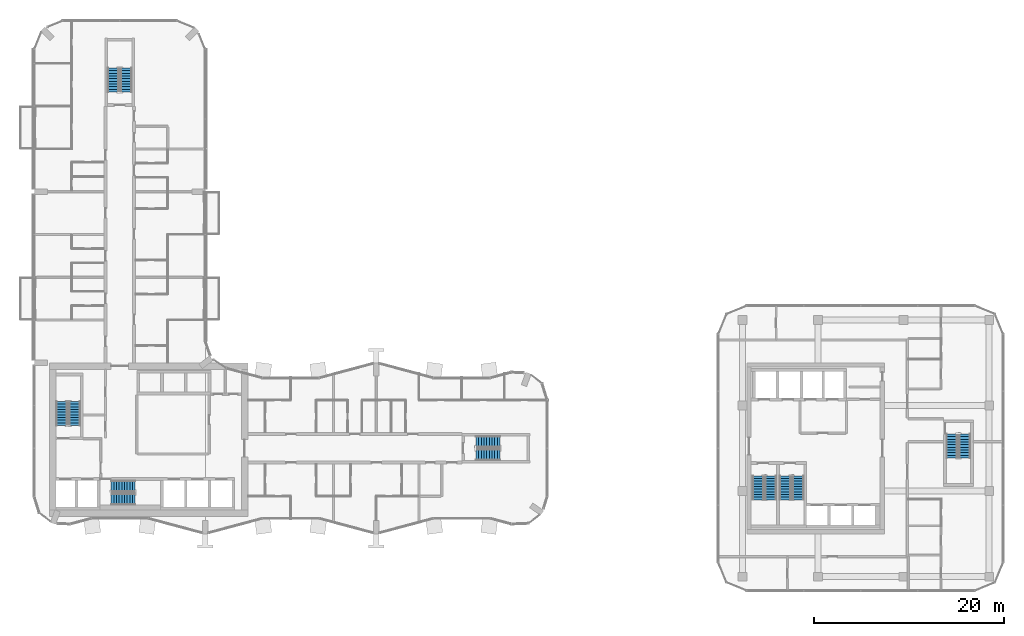
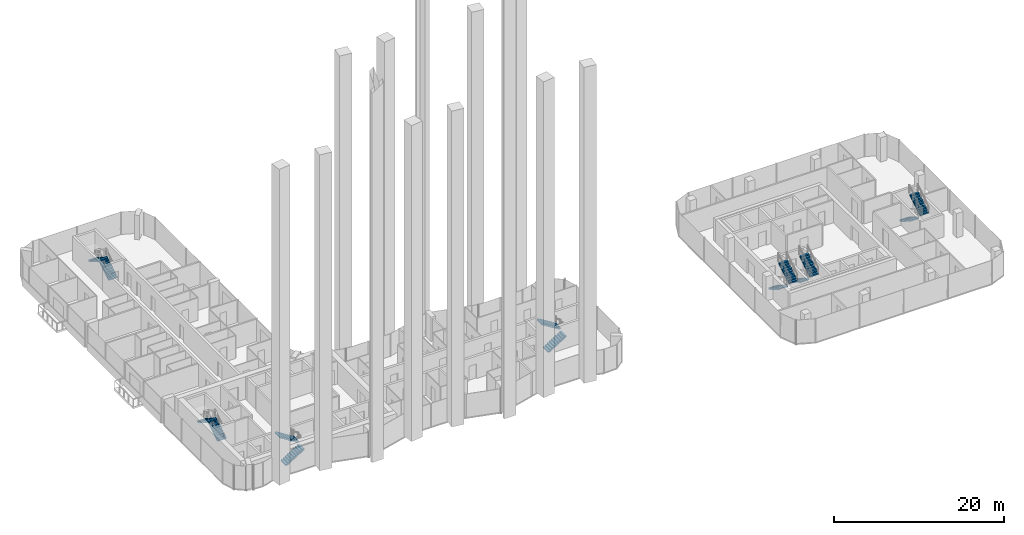
# One storey, part 20 of 27: 14 stair flights, 7 elements without a shape of their own.
"""IFC4 building model written with IfcOpenShell, lengths in metres."""

from ifc_helpers import new_model, si_unit, direction, frame, origin, place, context, subcontext, project, spatial, polyline, outline, extrude, material, type_object, element, aggregate, save


model = new_model("IFC4")

# Units and contexts
model_context = context("Model", 3, precision=1e-05, world=origin(), true_north=direction((0.0, 1.0)))
body_context = subcontext(model_context, "Body", "Model", "MODEL_VIEW")
ifc_project = project(units=[si_unit("LENGTHUNIT", "METRE"), si_unit("AREAUNIT", "SQUARE_METRE"), si_unit("VOLUMEUNIT", "CUBIC_METRE"), si_unit("PLANEANGLEUNIT", "RADIAN"), si_unit("MASSUNIT", "GRAM", prefix="KILO")], contexts=[model_context])

# Site, building, storey
site_placement = place(None, origin())
site = spatial("IfcSite", under=ifc_project, at=site_placement, CompositionType="ELEMENT")
building_placement = place(site_placement, origin())
building = spatial("IfcBuilding", under=site, at=building_placement, Name="Plateau Cross Towers", CompositionType="ELEMENT")
storey_placement = place(building_placement, frame((0.0, 0.0, 78.300048828125)))
storey = spatial("IfcBuildingStorey", under=building, at=storey_placement, Name="L19", CompositionType="ELEMENT", Elevation=78.300048828125)

# Stair, stair flights
ifc_material = material(Name="Concrete C40/50", Category="concrete")
stair_type = type_object("IfcStairType", Name="ST-TWR", PredefinedType="HALF_TURN_STAIR", material=ifc_material)
stair_1_placement = place(storey_placement, origin())
stair_1 = element("IfcStair", 1, at=stair_1_placement, inside=storey, type_object=stair_type, Name="L19 Protected Exit Stair ST-1", PredefinedType="HALF_TURN_STAIR")
stair_flight_type = type_object("IfcStairFlightType", Name="SFL-RC", PredefinedType="STRAIGHT", material=ifc_material)
stair_flight_1_placement = place(storey_placement, frame((4.25, 11.39990234375, 0.0), z_axis=(0.0, 0.0, 1.0), x_axis=(0.0, 1.0, 0.0)))
stair_flight_1 = element("IfcStairFlight", 2, at=stair_flight_1_placement, type_object=stair_flight_type, Name="ST-1 flight 1", NumberOfRisers=10, NumberOfTreads=9, PredefinedType="STRAIGHT", RiserHeight=0.175, TreadLength=0.28, context=body_context, shape_type="SweptSolid", body=[
    extrude(outline(polyline([(-0.0048828125, -0.010009765625), (-0.0048828125, 0.0), (0.0, 0.0), (0.0, 0.175048828125), (0.280029296875, 0.175048828125), (0.280029296875, 0.35009765625), (0.56005859375, 0.35009765625), (0.56005859375, 0.52490234375), (0.840087890625, 0.52490234375), (0.840087890625, 0.699951171875), (1.1201171875, 0.699951171875), (1.1201171875, 0.875), (1.39990234375, 0.875), (1.39990234375, 1.050048828125), (1.679931640625, 1.050048828125), (1.679931640625, 1.22509765625), (1.9599609375, 1.22509765625), (1.9599609375, 1.39990234375), (2.239990234375, 1.39990234375), (2.239990234375, 1.574951171875), (2.52001953125, 1.574951171875), (2.52490234375, 1.56494140625), (2.52490234375, 1.398193359375), (2.52001953125, 1.398193359375), (0.28271484375, 0.0), (0.02001953125, 0.0), (0.02001953125, -0.010009765625), (-0.0048828125, -0.010009765625)])), frame((0.0, 0.60009765625, 0.0), z_axis=(0.0, -1.0, 0.0), x_axis=(1.0, 0.0, 0.0)), (0.0, 0.0, 1.0), 1.199951171875),
])
stair_flight_2_placement = place(storey_placement, frame((2.89990234375, 13.919921875, 1.75), z_axis=(0.0, 0.0, 1.0), x_axis=(0.0, -1.0, 0.0)))
stair_flight_2 = element("IfcStairFlight", 3, at=stair_flight_2_placement, type_object=stair_flight_type, Name="ST-1 flight 2", NumberOfRisers=10, NumberOfTreads=9, PredefinedType="STRAIGHT", RiserHeight=0.175, TreadLength=0.28, context=body_context, shape_type="SweptSolid", body=[
    extrude(outline(polyline([(-0.0048828125, -0.010009765625), (-0.0048828125, 0.0), (0.0, 0.0), (0.0, 0.175048828125), (0.280029296875, 0.175048828125), (0.280029296875, 0.35009765625), (0.56005859375, 0.35009765625), (0.56005859375, 0.52490234375), (0.840087890625, 0.52490234375), (0.840087890625, 0.699951171875), (1.1201171875, 0.699951171875), (1.1201171875, 0.875), (1.39990234375, 0.875), (1.39990234375, 1.050048828125), (1.679931640625, 1.050048828125), (1.679931640625, 1.22509765625), (1.9599609375, 1.22509765625), (1.9599609375, 1.39990234375), (2.239990234375, 1.39990234375), (2.239990234375, 1.574951171875), (2.52001953125, 1.574951171875), (2.52490234375, 1.56494140625), (2.52490234375, 1.398193359375), (2.52001953125, 1.398193359375), (0.28271484375, 0.0), (0.02001953125, 0.0), (0.02001953125, -0.010009765625), (-0.0048828125, -0.010009765625)])), frame((0.0, 0.60009765625, 0.0), z_axis=(0.0, -1.0, 0.0), x_axis=(1.0, 0.0, 0.0)), (0.0, 0.0, 1.0), 1.199951171875),
])
aggregate(stair_1, [stair_flight_1, stair_flight_2])

stair_2_placement = place(storey_placement, origin())
stair_2 = element("IfcStair", 4, at=stair_2_placement, inside=storey, type_object=stair_type, Name="L19 Protected Exit Stair ST-2", PredefinedType="HALF_TURN_STAIR")
stair_flight_3_placement = place(storey_placement, frame((8.10009765625, 3.64990234375, 0.0), z_axis=(0.0, 0.0, 1.0), x_axis=(1.0, 0.0, 0.0)))
stair_flight_3 = element("IfcStairFlight", 5, at=stair_flight_3_placement, type_object=stair_flight_type, Name="ST-2 flight 1", NumberOfRisers=10, NumberOfTreads=9, PredefinedType="STRAIGHT", RiserHeight=0.175, TreadLength=0.28, context=body_context, shape_type="SweptSolid", body=[
    extrude(outline(polyline([(-0.0048828125, -0.010009765625), (-0.0048828125, 0.0), (0.0, 0.0), (0.0, 0.175048828125), (0.280029296875, 0.175048828125), (0.280029296875, 0.35009765625), (0.56005859375, 0.35009765625), (0.56005859375, 0.52490234375), (0.840087890625, 0.52490234375), (0.840087890625, 0.699951171875), (1.1201171875, 0.699951171875), (1.1201171875, 0.875), (1.39990234375, 0.875), (1.39990234375, 1.050048828125), (1.679931640625, 1.050048828125), (1.679931640625, 1.22509765625), (1.9599609375, 1.22509765625), (1.9599609375, 1.39990234375), (2.239990234375, 1.39990234375), (2.239990234375, 1.574951171875), (2.52001953125, 1.574951171875), (2.52490234375, 1.56494140625), (2.52490234375, 1.398193359375), (2.52001953125, 1.398193359375), (0.28271484375, 0.0), (0.02001953125, 0.0), (0.02001953125, -0.010009765625), (-0.0048828125, -0.010009765625)])), frame((0.0, 0.60009765625, 0.0), z_axis=(0.0, -1.0, 0.0), x_axis=(1.0, 0.0, 0.0)), (0.0, 0.0, 1.0), 1.199951171875),
])
stair_flight_4_placement = place(storey_placement, frame((10.6201171875, 5.0, 1.75), z_axis=(0.0, 0.0, 1.0), x_axis=(-1.0, 0.0, 0.0)))
stair_flight_4 = element("IfcStairFlight", 6, at=stair_flight_4_placement, type_object=stair_flight_type, Name="ST-2 flight 2", NumberOfRisers=10, NumberOfTreads=9, PredefinedType="STRAIGHT", RiserHeight=0.175, TreadLength=0.28, context=body_context, shape_type="SweptSolid", body=[
    extrude(outline(polyline([(-0.0048828125, -0.010009765625), (-0.0048828125, 0.0), (0.0, 0.0), (0.0, 0.175048828125), (0.280029296875, 0.175048828125), (0.280029296875, 0.35009765625), (0.56005859375, 0.35009765625), (0.56005859375, 0.52490234375), (0.840087890625, 0.52490234375), (0.840087890625, 0.699951171875), (1.1201171875, 0.699951171875), (1.1201171875, 0.875), (1.39990234375, 0.875), (1.39990234375, 1.050048828125), (1.679931640625, 1.050048828125), (1.679931640625, 1.22509765625), (1.9599609375, 1.22509765625), (1.9599609375, 1.39990234375), (2.239990234375, 1.39990234375), (2.239990234375, 1.574951171875), (2.52001953125, 1.574951171875), (2.52490234375, 1.56494140625), (2.52490234375, 1.398193359375), (2.52001953125, 1.398193359375), (0.28271484375, 0.0), (0.02001953125, 0.0), (0.02001953125, -0.010009765625), (-0.0048828125, -0.010009765625)])), frame((0.0, 0.60009765625, 0.0), z_axis=(0.0, -1.0, 0.0), x_axis=(1.0, 0.0, 0.0)), (0.0, 0.0, 1.0), 1.199951171875),
])
aggregate(stair_2, [stair_flight_3, stair_flight_4])

stair_3_placement = place(storey_placement, origin())
stair_3 = element("IfcStair", 7, at=stair_3_placement, inside=storey, type_object=stair_type, Name="L19 Protected Exit Stair SB-1", PredefinedType="HALF_TURN_STAIR")
stair_flight_5_placement = place(storey_placement, frame((76.199951171875, 6.10009765625, 0.0), z_axis=(0.0, 0.0, 1.0), x_axis=(0.0, -1.0, 0.0)))
stair_flight_5 = element("IfcStairFlight", 8, at=stair_flight_5_placement, type_object=stair_flight_type, Name="SB-1 flight 1", NumberOfRisers=10, NumberOfTreads=9, PredefinedType="STRAIGHT", RiserHeight=0.175, TreadLength=0.28, context=body_context, shape_type="SweptSolid", body=[
    extrude(outline(polyline([(-0.0048828125, -0.010009765625), (-0.0048828125, 0.0), (0.0, 0.0), (0.0, 0.175048828125), (0.280029296875, 0.175048828125), (0.280029296875, 0.35009765625), (0.56005859375, 0.35009765625), (0.56005859375, 0.52490234375), (0.840087890625, 0.52490234375), (0.840087890625, 0.699951171875), (1.1201171875, 0.699951171875), (1.1201171875, 0.875), (1.39990234375, 0.875), (1.39990234375, 1.050048828125), (1.679931640625, 1.050048828125), (1.679931640625, 1.22509765625), (1.9599609375, 1.22509765625), (1.9599609375, 1.39990234375), (2.239990234375, 1.39990234375), (2.239990234375, 1.574951171875), (2.52001953125, 1.574951171875), (2.52490234375, 1.56494140625), (2.52490234375, 1.398193359375), (2.52001953125, 1.398193359375), (0.28271484375, 0.0), (0.02001953125, 0.0), (0.02001953125, -0.010009765625), (-0.0048828125, -0.010009765625)])), frame((0.0, 0.60009765625, 0.0), z_axis=(0.0, -1.0, 0.0), x_axis=(1.0, 0.0, 0.0)), (0.0, 0.0, 1.0), 1.199951171875),
])
stair_flight_6_placement = place(storey_placement, frame((77.550048828125, 3.580078125, 1.75), z_axis=(0.0, 0.0, 1.0), x_axis=(0.0, 1.0, 0.0)))
stair_flight_6 = element("IfcStairFlight", 9, at=stair_flight_6_placement, type_object=stair_flight_type, Name="SB-1 flight 2", NumberOfRisers=10, NumberOfTreads=9, PredefinedType="STRAIGHT", RiserHeight=0.175, TreadLength=0.28, context=body_context, shape_type="SweptSolid", body=[
    extrude(outline(polyline([(-0.0048828125, -0.010009765625), (-0.0048828125, 0.0), (0.0, 0.0), (0.0, 0.175048828125), (0.280029296875, 0.175048828125), (0.280029296875, 0.35009765625), (0.56005859375, 0.35009765625), (0.56005859375, 0.52490234375), (0.840087890625, 0.52490234375), (0.840087890625, 0.699951171875), (1.1201171875, 0.699951171875), (1.1201171875, 0.875), (1.39990234375, 0.875), (1.39990234375, 1.050048828125), (1.679931640625, 1.050048828125), (1.679931640625, 1.22509765625), (1.9599609375, 1.22509765625), (1.9599609375, 1.39990234375), (2.239990234375, 1.39990234375), (2.239990234375, 1.574951171875), (2.52001953125, 1.574951171875), (2.52490234375, 1.56494140625), (2.52490234375, 1.398193359375), (2.52001953125, 1.398193359375), (0.28271484375, 0.0), (0.02001953125, 0.0), (0.02001953125, -0.010009765625), (-0.0048828125, -0.010009765625)])), frame((0.0, 0.60009765625, 0.0), z_axis=(0.0, -1.0, 0.0), x_axis=(1.0, 0.0, 0.0)), (0.0, 0.0, 1.0), 1.199951171875),
])
aggregate(stair_3, [stair_flight_5, stair_flight_6])

stair_4_placement = place(storey_placement, origin())
stair_4 = element("IfcStair", 10, at=stair_4_placement, inside=storey, type_object=stair_type, Name="L19 Protected Exit Stair SB-2", PredefinedType="HALF_TURN_STAIR")
stair_flight_7_placement = place(storey_placement, frame((79.050048828125, 6.10009765625, 0.0), z_axis=(0.0, 0.0, 1.0), x_axis=(0.0, -1.0, 0.0)))
stair_flight_7 = element("IfcStairFlight", 11, at=stair_flight_7_placement, type_object=stair_flight_type, Name="SB-2 flight 1", NumberOfRisers=10, NumberOfTreads=9, PredefinedType="STRAIGHT", RiserHeight=0.175, TreadLength=0.28, context=body_context, shape_type="SweptSolid", body=[
    extrude(outline(polyline([(-0.0048828125, -0.010009765625), (-0.0048828125, 0.0), (0.0, 0.0), (0.0, 0.175048828125), (0.280029296875, 0.175048828125), (0.280029296875, 0.35009765625), (0.56005859375, 0.35009765625), (0.56005859375, 0.52490234375), (0.840087890625, 0.52490234375), (0.840087890625, 0.699951171875), (1.1201171875, 0.699951171875), (1.1201171875, 0.875), (1.39990234375, 0.875), (1.39990234375, 1.050048828125), (1.679931640625, 1.050048828125), (1.679931640625, 1.22509765625), (1.9599609375, 1.22509765625), (1.9599609375, 1.39990234375), (2.239990234375, 1.39990234375), (2.239990234375, 1.574951171875), (2.52001953125, 1.574951171875), (2.52490234375, 1.56494140625), (2.52490234375, 1.398193359375), (2.52001953125, 1.398193359375), (0.28271484375, 0.0), (0.02001953125, 0.0), (0.02001953125, -0.010009765625), (-0.0048828125, -0.010009765625)])), frame((0.0, 0.60009765625, 0.0), z_axis=(0.0, -1.0, 0.0), x_axis=(1.0, 0.0, 0.0)), (0.0, 0.0, 1.0), 1.199951171875),
])
stair_flight_8_placement = place(storey_placement, frame((80.39990234375, 3.580078125, 1.75), z_axis=(0.0, 0.0, 1.0), x_axis=(0.0, 1.0, 0.0)))
stair_flight_8 = element("IfcStairFlight", 12, at=stair_flight_8_placement, type_object=stair_flight_type, Name="SB-2 flight 2", NumberOfRisers=10, NumberOfTreads=9, PredefinedType="STRAIGHT", RiserHeight=0.175, TreadLength=0.28, context=body_context, shape_type="SweptSolid", body=[
    extrude(outline(polyline([(-0.0048828125, -0.010009765625), (-0.0048828125, 0.0), (0.0, 0.0), (0.0, 0.175048828125), (0.280029296875, 0.175048828125), (0.280029296875, 0.35009765625), (0.56005859375, 0.35009765625), (0.56005859375, 0.52490234375), (0.840087890625, 0.52490234375), (0.840087890625, 0.699951171875), (1.1201171875, 0.699951171875), (1.1201171875, 0.875), (1.39990234375, 0.875), (1.39990234375, 1.050048828125), (1.679931640625, 1.050048828125), (1.679931640625, 1.22509765625), (1.9599609375, 1.22509765625), (1.9599609375, 1.39990234375), (2.239990234375, 1.39990234375), (2.239990234375, 1.574951171875), (2.52001953125, 1.574951171875), (2.52490234375, 1.56494140625), (2.52490234375, 1.398193359375), (2.52001953125, 1.398193359375), (0.28271484375, 0.0), (0.02001953125, 0.0), (0.02001953125, -0.010009765625), (-0.0048828125, -0.010009765625)])), frame((0.0, 0.60009765625, 0.0), z_axis=(0.0, -1.0, 0.0), x_axis=(1.0, 0.0, 0.0)), (0.0, 0.0, 1.0), 1.199951171875),
])
aggregate(stair_4, [stair_flight_7, stair_flight_8])

stair_5_placement = place(storey_placement, origin())
stair_5 = element("IfcStair", 13, at=stair_5_placement, inside=storey, type_object=stair_type, Name="L19 Protected Exit Stair SB-3", PredefinedType="HALF_TURN_STAIR")
stair_flight_9_placement = place(storey_placement, frame((96.60009765625, 10.5, 0.0), z_axis=(0.0, 0.0, 1.0), x_axis=(0.0, -1.0, 0.0)))
stair_flight_9 = element("IfcStairFlight", 14, at=stair_flight_9_placement, type_object=stair_flight_type, Name="SB-3 flight 1", NumberOfRisers=10, NumberOfTreads=9, PredefinedType="STRAIGHT", RiserHeight=0.175, TreadLength=0.28, context=body_context, shape_type="SweptSolid", body=[
    extrude(outline(polyline([(-0.0048828125, -0.010009765625), (-0.0048828125, 0.0), (0.0, 0.0), (0.0, 0.175048828125), (0.280029296875, 0.175048828125), (0.280029296875, 0.35009765625), (0.56005859375, 0.35009765625), (0.56005859375, 0.52490234375), (0.840087890625, 0.52490234375), (0.840087890625, 0.699951171875), (1.1201171875, 0.699951171875), (1.1201171875, 0.875), (1.39990234375, 0.875), (1.39990234375, 1.050048828125), (1.679931640625, 1.050048828125), (1.679931640625, 1.22509765625), (1.9599609375, 1.22509765625), (1.9599609375, 1.39990234375), (2.239990234375, 1.39990234375), (2.239990234375, 1.574951171875), (2.52001953125, 1.574951171875), (2.52490234375, 1.56494140625), (2.52490234375, 1.398193359375), (2.52001953125, 1.398193359375), (0.28271484375, 0.0), (0.02001953125, 0.0), (0.02001953125, -0.010009765625), (-0.0048828125, -0.010009765625)])), frame((0.0, 0.60009765625, 0.0), z_axis=(0.0, -1.0, 0.0), x_axis=(1.0, 0.0, 0.0)), (0.0, 0.0, 1.0), 1.199951171875),
])
stair_flight_10_placement = place(storey_placement, frame((97.949951171875, 7.97998046875, 1.75), z_axis=(0.0, 0.0, 1.0), x_axis=(0.0, 1.0, 0.0)))
stair_flight_10 = element("IfcStairFlight", 15, at=stair_flight_10_placement, type_object=stair_flight_type, Name="SB-3 flight 2", NumberOfRisers=10, NumberOfTreads=9, PredefinedType="STRAIGHT", RiserHeight=0.175, TreadLength=0.28, context=body_context, shape_type="SweptSolid", body=[
    extrude(outline(polyline([(-0.0048828125, -0.010009765625), (-0.0048828125, 0.0), (0.0, 0.0), (0.0, 0.175048828125), (0.280029296875, 0.175048828125), (0.280029296875, 0.35009765625), (0.56005859375, 0.35009765625), (0.56005859375, 0.52490234375), (0.840087890625, 0.52490234375), (0.840087890625, 0.699951171875), (1.1201171875, 0.699951171875), (1.1201171875, 0.875), (1.39990234375, 0.875), (1.39990234375, 1.050048828125), (1.679931640625, 1.050048828125), (1.679931640625, 1.22509765625), (1.9599609375, 1.22509765625), (1.9599609375, 1.39990234375), (2.239990234375, 1.39990234375), (2.239990234375, 1.574951171875), (2.52001953125, 1.574951171875), (2.52490234375, 1.56494140625), (2.52490234375, 1.398193359375), (2.52001953125, 1.398193359375), (0.28271484375, 0.0), (0.02001953125, 0.0), (0.02001953125, -0.010009765625), (-0.0048828125, -0.010009765625)])), frame((0.0, 0.60009765625, 0.0), z_axis=(0.0, -1.0, 0.0), x_axis=(1.0, 0.0, 0.0)), (0.0, 0.0, 1.0), 1.199951171875),
])
aggregate(stair_5, [stair_flight_9, stair_flight_10])

stair_6_placement = place(storey_placement, origin())
stair_6 = element("IfcStair", 16, at=stair_6_placement, inside=storey, type_object=stair_type, Name="L19 Protected Exit Stair E", PredefinedType="HALF_TURN_STAIR")
stair_flight_11_placement = place(storey_placement, frame((46.5, 8.324951171875, 0.0), z_axis=(0.0, 0.0, 1.0), x_axis=(1.0, 0.0, 0.0)))
stair_flight_11 = element("IfcStairFlight", 17, at=stair_flight_11_placement, type_object=stair_flight_type, Name="ES-E flight 1", NumberOfRisers=10, NumberOfTreads=9, PredefinedType="STRAIGHT", RiserHeight=0.175, TreadLength=0.28, context=body_context, shape_type="SweptSolid", body=[
    extrude(outline(polyline([(-0.0048828125, -0.010009765625), (-0.0048828125, 0.0), (0.0, 0.0), (0.0, 0.175048828125), (0.280029296875, 0.175048828125), (0.280029296875, 0.35009765625), (0.56005859375, 0.35009765625), (0.56005859375, 0.52490234375), (0.840087890625, 0.52490234375), (0.840087890625, 0.699951171875), (1.1201171875, 0.699951171875), (1.1201171875, 0.875), (1.39990234375, 0.875), (1.39990234375, 1.050048828125), (1.679931640625, 1.050048828125), (1.679931640625, 1.22509765625), (1.9599609375, 1.22509765625), (1.9599609375, 1.39990234375), (2.239990234375, 1.39990234375), (2.239990234375, 1.574951171875), (2.52001953125, 1.574951171875), (2.52490234375, 1.56494140625), (2.52490234375, 1.398193359375), (2.52001953125, 1.398193359375), (0.28271484375, 0.0), (0.02001953125, 0.0), (0.02001953125, -0.010009765625), (-0.0048828125, -0.010009765625)])), frame((0.0, 0.60009765625, 0.0), z_axis=(0.0, -1.0, 0.0), x_axis=(1.0, 0.0, 0.0)), (0.0, 0.0, 1.0), 1.199951171875),
])
stair_flight_12_placement = place(storey_placement, frame((49.02001953125, 9.675048828125, 1.75), z_axis=(0.0, 0.0, 1.0), x_axis=(-1.0, 0.0, 0.0)))
stair_flight_12 = element("IfcStairFlight", 18, at=stair_flight_12_placement, type_object=stair_flight_type, Name="ES-E flight 2", NumberOfRisers=10, NumberOfTreads=9, PredefinedType="STRAIGHT", RiserHeight=0.175, TreadLength=0.28, context=body_context, shape_type="SweptSolid", body=[
    extrude(outline(polyline([(-0.0048828125, -0.010009765625), (-0.0048828125, 0.0), (0.0, 0.0), (0.0, 0.175048828125), (0.280029296875, 0.175048828125), (0.280029296875, 0.35009765625), (0.56005859375, 0.35009765625), (0.56005859375, 0.52490234375), (0.840087890625, 0.52490234375), (0.840087890625, 0.699951171875), (1.1201171875, 0.699951171875), (1.1201171875, 0.875), (1.39990234375, 0.875), (1.39990234375, 1.050048828125), (1.679931640625, 1.050048828125), (1.679931640625, 1.22509765625), (1.9599609375, 1.22509765625), (1.9599609375, 1.39990234375), (2.239990234375, 1.39990234375), (2.239990234375, 1.574951171875), (2.52001953125, 1.574951171875), (2.52490234375, 1.56494140625), (2.52490234375, 1.398193359375), (2.52001953125, 1.398193359375), (0.28271484375, 0.0), (0.02001953125, 0.0), (0.02001953125, -0.010009765625), (-0.0048828125, -0.010009765625)])), frame((0.0, 0.60009765625, 0.0), z_axis=(0.0, -1.0, 0.0), x_axis=(1.0, 0.0, 0.0)), (0.0, 0.0, 1.0), 1.199951171875),
])
aggregate(stair_6, [stair_flight_11, stair_flight_12])

stair_7_placement = place(storey_placement, origin())
stair_7 = element("IfcStair", 19, at=stair_7_placement, inside=storey, type_object=stair_type, Name="L19 Protected Exit Stair N", PredefinedType="HALF_TURN_STAIR")
stair_flight_13_placement = place(storey_placement, frame((9.675048828125, 46.5, 0.0), z_axis=(0.0, 0.0, 1.0), x_axis=(0.0, 1.0, 0.0)))
stair_flight_13 = element("IfcStairFlight", 20, at=stair_flight_13_placement, type_object=stair_flight_type, Name="ES-N flight 1", NumberOfRisers=10, NumberOfTreads=9, PredefinedType="STRAIGHT", RiserHeight=0.175, TreadLength=0.28, context=body_context, shape_type="SweptSolid", body=[
    extrude(outline(polyline([(-0.0048828125, -0.010009765625), (-0.0048828125, 0.0), (0.0, 0.0), (0.0, 0.175048828125), (0.280029296875, 0.175048828125), (0.280029296875, 0.35009765625), (0.56005859375, 0.35009765625), (0.56005859375, 0.52490234375), (0.840087890625, 0.52490234375), (0.840087890625, 0.699951171875), (1.1201171875, 0.699951171875), (1.1201171875, 0.875), (1.39990234375, 0.875), (1.39990234375, 1.050048828125), (1.679931640625, 1.050048828125), (1.679931640625, 1.22509765625), (1.9599609375, 1.22509765625), (1.9599609375, 1.39990234375), (2.239990234375, 1.39990234375), (2.239990234375, 1.574951171875), (2.52001953125, 1.574951171875), (2.52490234375, 1.56494140625), (2.52490234375, 1.398193359375), (2.52001953125, 1.398193359375), (0.28271484375, 0.0), (0.02001953125, 0.0), (0.02001953125, -0.010009765625), (-0.0048828125, -0.010009765625)])), frame((0.0, 0.60009765625, 0.0), z_axis=(0.0, -1.0, 0.0), x_axis=(1.0, 0.0, 0.0)), (0.0, 0.0, 1.0), 1.199951171875),
])
stair_flight_14_placement = place(storey_placement, frame((8.324951171875, 49.02001953125, 1.75), z_axis=(0.0, 0.0, 1.0), x_axis=(0.0, -1.0, 0.0)))
stair_flight_14 = element("IfcStairFlight", 21, at=stair_flight_14_placement, type_object=stair_flight_type, Name="ES-N flight 2", NumberOfRisers=10, NumberOfTreads=9, PredefinedType="STRAIGHT", RiserHeight=0.175, TreadLength=0.28, context=body_context, shape_type="SweptSolid", body=[
    extrude(outline(polyline([(-0.0048828125, -0.010009765625), (-0.0048828125, 0.0), (0.0, 0.0), (0.0, 0.175048828125), (0.280029296875, 0.175048828125), (0.280029296875, 0.35009765625), (0.56005859375, 0.35009765625), (0.56005859375, 0.52490234375), (0.840087890625, 0.52490234375), (0.840087890625, 0.699951171875), (1.1201171875, 0.699951171875), (1.1201171875, 0.875), (1.39990234375, 0.875), (1.39990234375, 1.050048828125), (1.679931640625, 1.050048828125), (1.679931640625, 1.22509765625), (1.9599609375, 1.22509765625), (1.9599609375, 1.39990234375), (2.239990234375, 1.39990234375), (2.239990234375, 1.574951171875), (2.52001953125, 1.574951171875), (2.52490234375, 1.56494140625), (2.52490234375, 1.398193359375), (2.52001953125, 1.398193359375), (0.28271484375, 0.0), (0.02001953125, 0.0), (0.02001953125, -0.010009765625), (-0.0048828125, -0.010009765625)])), frame((0.0, 0.60009765625, 0.0), z_axis=(0.0, -1.0, 0.0), x_axis=(1.0, 0.0, 0.0)), (0.0, 0.0, 1.0), 1.199951171875),
])
aggregate(stair_7, [stair_flight_13, stair_flight_14])

save(model, "model.ifc")
